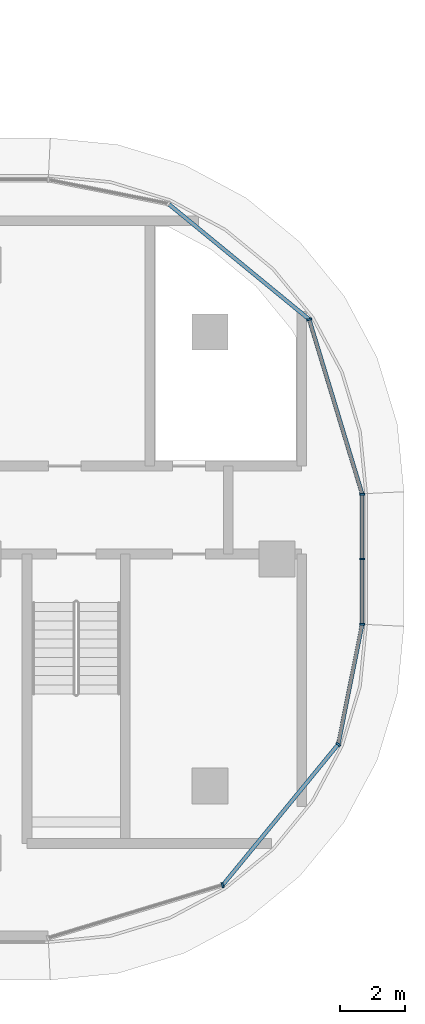
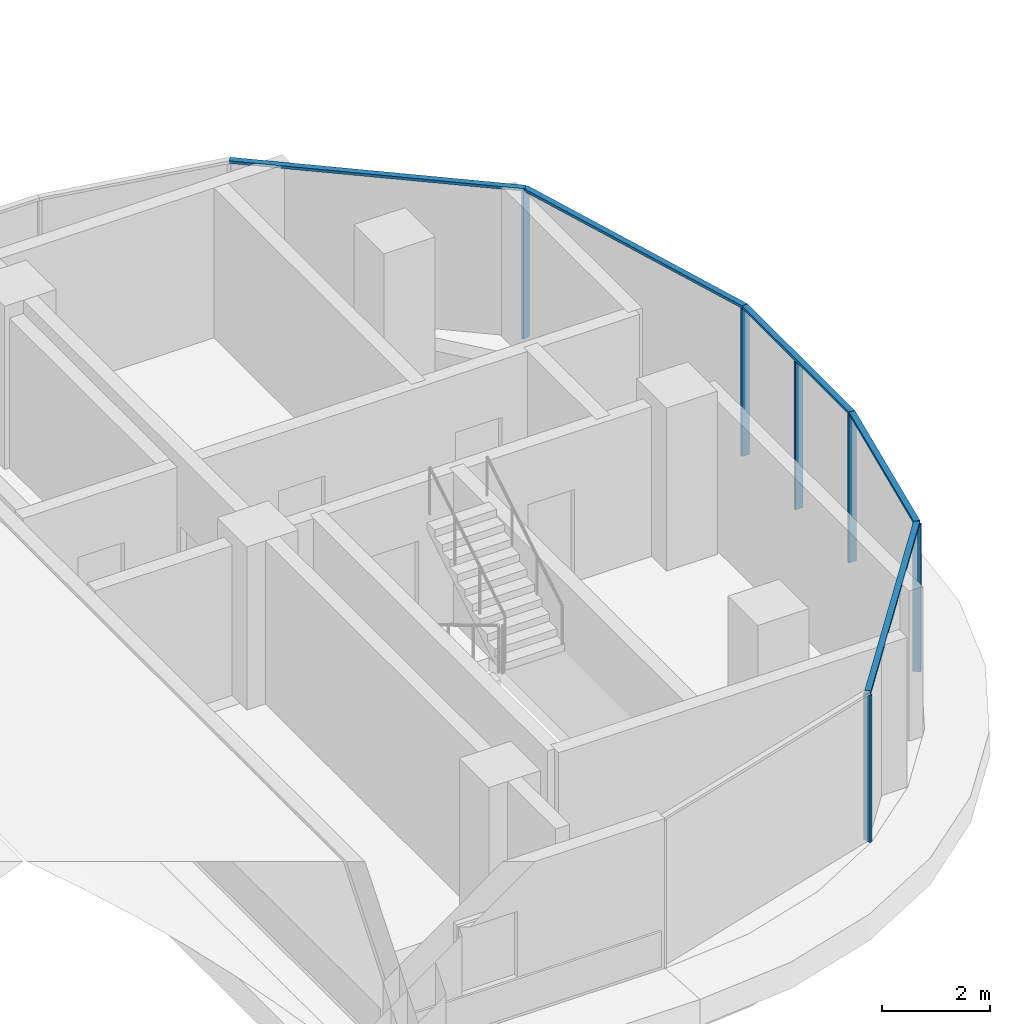
# One storey, part 8 of 23: 11 members, 3 elements without a shape of their own.
"""IFC4 building model written with IfcOpenShell, lengths in metres."""

from ifc_helpers import new_model, si_unit, direction, frame, origin, origin_2d, place, context, subcontext, project, spatial, rectangle, extrude, material, material_profile, profile_set, type_object, element, aggregate, save


model = new_model("IFC4")

# Units and contexts
model_context = context("Model", 3, precision=1e-05, world=origin(), true_north=direction((0.0, 1.0)))
body_context = subcontext(model_context, "Body", "Model", "MODEL_VIEW")
ifc_project = project(units=[si_unit("LENGTHUNIT", "METRE"), si_unit("AREAUNIT", "SQUARE_METRE"), si_unit("VOLUMEUNIT", "CUBIC_METRE"), si_unit("PLANEANGLEUNIT", "RADIAN"), si_unit("MASSUNIT", "GRAM", prefix="KILO")], contexts=[model_context])

# Site, building, storey
site_placement = place(None, origin())
site = spatial("IfcSite", under=ifc_project, at=site_placement, CompositionType="ELEMENT")
building_placement = place(site_placement, origin())
building = spatial("IfcBuilding", under=site, at=building_placement, Name="Ogive Portal Towers", CompositionType="ELEMENT")
storey_placement = place(building_placement, frame((0.0, 0.0, 179.199951171875)))
storey = spatial("IfcBuildingStorey", under=building, at=storey_placement, Name="L44", CompositionType="ELEMENT", Elevation=179.199951171875)

# Curtain wall, members
ifc_material_1 = material(Name="Glass, clear low-iron insulated glazing", Category="glass")
curtain_wall_type = type_object("IfcCurtainWallType", Name="CW FRONT RIBBON 4500", PredefinedType="NOTDEFINED", material=ifc_material_1)
curtain_wall_1_placement = place(storey_placement, origin())
curtain_wall_1 = element("IfcCurtainWall", 1, at=curtain_wall_1_placement, inside=storey, type_object=curtain_wall_type, Name="A:L44:f29:cw0", PredefinedType="NOTDEFINED")
ifc_material_2 = material(Name="Aluminium 6063 anodised", Category="aluminium")
ifc_material_profile_1 = material_profile(ifc_material_2, rectangle(XDim=0.159912109375, YDim=0.06005859375, at=origin_2d()), Name="AL 60x160")
ifc_profile_set_1 = profile_set([ifc_material_profile_1], Name="Aluminium 6063 anodised")
member_type_1 = type_object("IfcMemberType", Name="CW MULLION 60x160", PredefinedType="MULLION", material=ifc_profile_set_1)
member_1_placement = place(storey_placement, frame((97.10009765625, 28.5078125, 0.0), z_axis=(0.0, 0.0, 1.0), x_axis=(-1.0, 0.0, 0.0)))
member_1 = element("IfcMember", 2, at=member_1_placement, type_object=member_type_1, Name="mullion", PredefinedType="MULLION", context=body_context, shape_type="SweptSolid", body=[
    extrude(rectangle(XDim=0.159912109375, YDim=0.06005859375, at=origin_2d()), origin(), (0.0, 0.0, 1.0), 3.340087890625),
])
member_2_placement = place(storey_placement, frame((97.10009765625, 30.5, 0.0), z_axis=(0.0, 0.0, 1.0), x_axis=(-1.0, 0.0, 0.0)))
member_2 = element("IfcMember", 3, at=member_2_placement, type_object=member_type_1, Name="mullion", PredefinedType="MULLION", context=body_context, shape_type="SweptSolid", body=[
    extrude(rectangle(XDim=0.159912109375, YDim=0.06005859375, at=origin_2d()), origin(), (0.0, 0.0, 1.0), 3.340087890625),
])
member_3_placement = place(storey_placement, frame((97.10009765625, 32.488037109375, 0.0), z_axis=(0.0, 0.0, 1.0), x_axis=(-1.0, 0.0, 0.0)))
member_3 = element("IfcMember", 4, at=member_3_placement, type_object=member_type_1, Name="mullion", PredefinedType="MULLION", context=body_context, shape_type="SweptSolid", body=[
    extrude(rectangle(XDim=0.159912109375, YDim=0.06005859375, at=origin_2d()), origin(), (0.0, 0.0, 1.0), 3.340087890625),
])

curtain_wall_2_placement = place(storey_placement, origin())
curtain_wall_2 = element("IfcCurtainWall", 5, at=curtain_wall_2_placement, inside=storey, type_object=curtain_wall_type, Name="A:L44:f26:cwa", PredefinedType="NOTDEFINED")
member_4_placement = place(storey_placement, frame((92.83154296875, 20.52099609375, 0.0), z_axis=(0.0, 0.0, 1.0), x_axis=(-0.290284677254, 0.956940335732, 0.0)))
member_4 = element("IfcMember", 6, at=member_4_placement, type_object=member_type_1, Name="mullion", PredefinedType="MULLION", context=body_context, shape_type="SweptSolid", body=[
    extrude(rectangle(XDim=0.159912109375, YDim=0.06005859375, at=origin_2d()), origin(), (0.0, 0.0, 1.0), 3.340087890625),
])
member_5_placement = place(storey_placement, frame((96.36865234375, 24.830810546875, 0.0), z_axis=(0.0, 0.0, 1.0), x_axis=(-0.773010453363, 0.634393284164, 0.0)))
member_5 = element("IfcMember", 7, at=member_5_placement, type_object=member_type_1, Name="mullion", PredefinedType="MULLION", context=body_context, shape_type="SweptSolid", body=[
    extrude(rectangle(XDim=0.159912109375, YDim=0.06005859375, at=origin_2d()), origin(), (0.0, 0.0, 1.0), 3.340087890625),
])

# Curtain wall, member
curtain_wall_3_placement = place(storey_placement, origin())
curtain_wall_3 = element("IfcCurtainWall", 8, at=curtain_wall_3_placement, inside=storey, type_object=curtain_wall_type, Name="A:L44:f30:cwa", PredefinedType="NOTDEFINED")
member_6_placement = place(storey_placement, frame((95.47900390625, 37.83154296875, 0.0), z_axis=(0.0, 0.0, 1.0), x_axis=(-0.956940335732, -0.290284677254, 0.0)))
member_6 = element("IfcMember", 9, at=member_6_placement, type_object=member_type_1, Name="mullion", PredefinedType="MULLION", context=body_context, shape_type="SweptSolid", body=[
    extrude(rectangle(XDim=0.159912109375, YDim=0.06005859375, at=origin_2d()), origin(), (0.0, 0.0, 1.0), 3.340087890625),
])

# Member
ifc_material_profile_2 = material_profile(ifc_material_2, rectangle(XDim=0.1201171875, YDim=0.06005859375, at=origin_2d()), Name="AL 120x60")
ifc_profile_set_2 = profile_set([ifc_material_profile_2], Name="Aluminium 6063 anodised")
member_type_2 = type_object("IfcMemberType", Name="CW TRANSOM 60x120", PredefinedType="USERDEFINED", material=ifc_profile_set_2)
member_7_placement = place(storey_placement, frame((97.10009765625, 28.5078125, 3.3701171875), z_axis=(0.0, 1.0, 0.0), x_axis=(-1.0, 0.0, 0.0)))
member_7 = element("IfcMember", 10, at=member_7_placement, type_object=member_type_2, Name="transom", ObjectType="TRANSOM", PredefinedType="USERDEFINED", context=body_context, shape_type="SweptSolid", body=[
    extrude(rectangle(XDim=0.1201171875, YDim=0.06005859375, at=origin_2d()), origin(), (0.0, 0.0, 1.0), 3.980224609375),
])

aggregate(curtain_wall_1, [member_7, member_1, member_2, member_3])

member_8_placement = place(storey_placement, frame((92.83154296875, 20.52099609375, 3.3701171875), z_axis=(0.634407866289, 0.772998485892, 0.0), x_axis=(-0.772998485892, 0.634407866289, 0.0)))
member_8 = element("IfcMember", 11, at=member_8_placement, type_object=member_type_2, Name="transom", ObjectType="TRANSOM", PredefinedType="USERDEFINED", context=body_context, shape_type="SweptSolid", body=[
    extrude(rectangle(XDim=0.1201171875, YDim=0.06005859375, at=origin_2d()), origin(), (0.0, 0.0, 1.0), 5.575439453125),
])

member_9_placement = place(storey_placement, frame((96.36865234375, 24.830810546875, 3.3701171875), z_axis=(0.195101649899, 0.980783027079, 0.0), x_axis=(-0.980783027079, 0.195101649899, 0.0)))
member_9 = element("IfcMember", 12, at=member_9_placement, type_object=member_type_2, Name="transom", ObjectType="TRANSOM", PredefinedType="USERDEFINED", context=body_context, shape_type="SweptSolid", body=[
    extrude(rectangle(XDim=0.1201171875, YDim=0.06005859375, at=origin_2d()), origin(), (0.0, 0.0, 1.0), 3.7490234375),
])

aggregate(curtain_wall_2, [member_8, member_9, member_4, member_5])

member_10_placement = place(storey_placement, frame((97.10009765625, 32.488037109375, 3.3701171875), z_axis=(-0.290310746868, 0.956932427214, 0.0), x_axis=(-0.956932427214, -0.290310746868, 0.0)))
member_10 = element("IfcMember", 13, at=member_10_placement, type_object=member_type_2, Name="transom", ObjectType="TRANSOM", PredefinedType="USERDEFINED", context=body_context, shape_type="SweptSolid", body=[
    extrude(rectangle(XDim=0.1201171875, YDim=0.06005859375, at=origin_2d()), origin(), (0.0, 0.0, 1.0), 5.583984375),
])

member_11_placement = place(storey_placement, frame((95.47900390625, 37.83154296875, 3.3701171875), z_axis=(-0.772998485892, 0.634407866289, 0.0), x_axis=(-0.634407866289, -0.772998485892, 0.0)))
member_11 = element("IfcMember", 14, at=member_11_placement, type_object=member_type_2, Name="transom", ObjectType="TRANSOM", PredefinedType="USERDEFINED", context=body_context, shape_type="SweptSolid", body=[
    extrude(rectangle(XDim=0.1201171875, YDim=0.06005859375, at=origin_2d()), origin(), (0.0, 0.0, 1.0), 5.575439453125),
])

aggregate(curtain_wall_3, [member_10, member_11, member_6])

save(model, "model.ifc")
